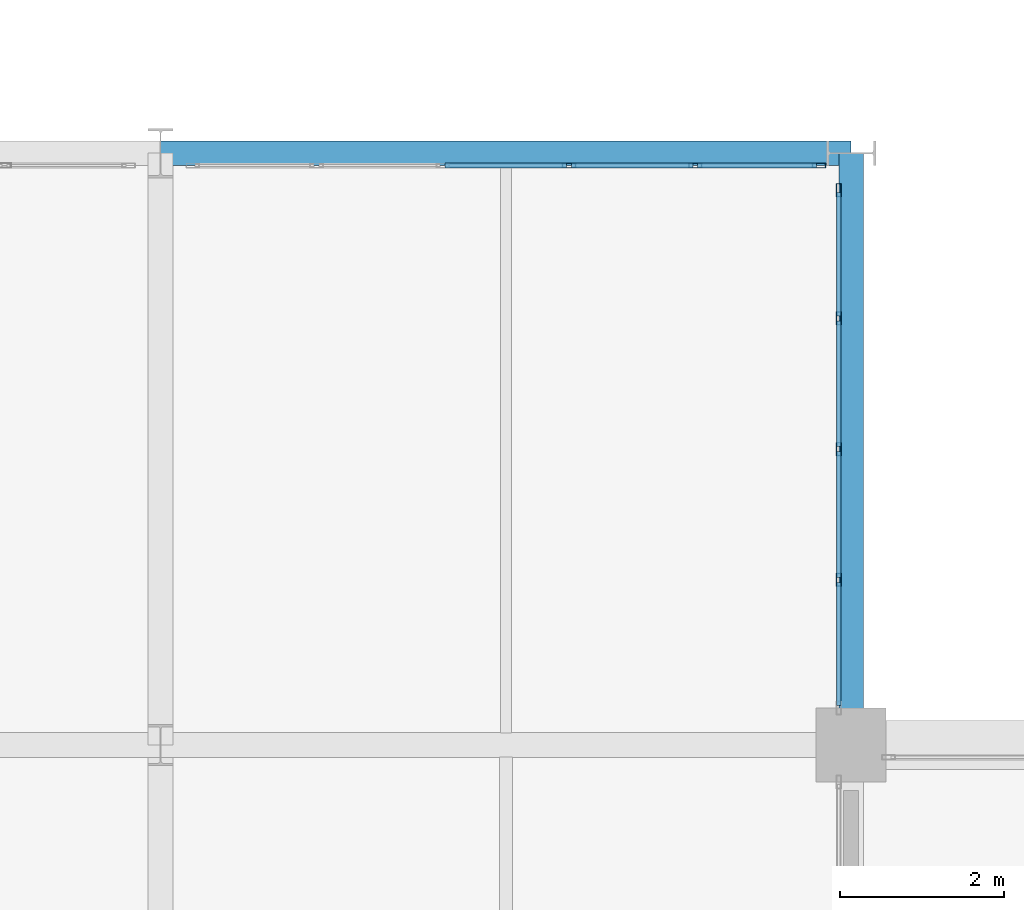
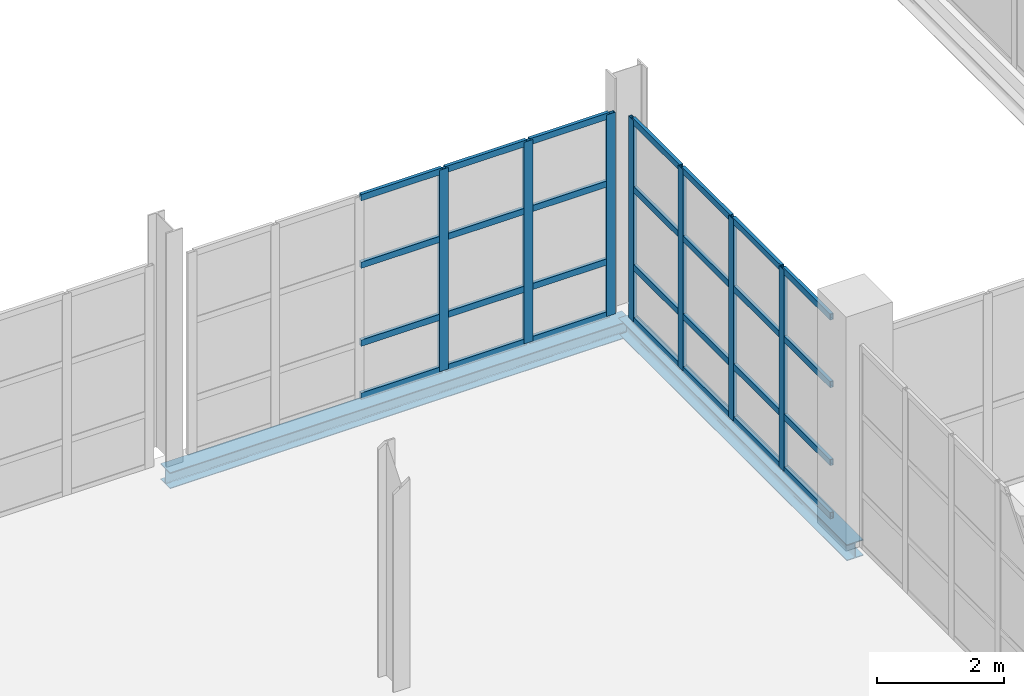
# One storey, part 21 of 109: 35 members, 2 beams, 2 elements without a shape of their own.
"""IFC4 building model written with IfcOpenShell, lengths in metres."""

from ifc_helpers import new_model, si_unit, direction, frame, origin, origin_2d, place, context, subcontext, project, spatial, hollow_rectangle, i_section, extrude, material, material_profile, profile_set, type_object, element, aggregate, save


model = new_model("IFC4")

# Units and contexts
model_context = context("Model", 3, precision=1e-05, world=origin(), true_north=direction((0.0, 1.0)))
body_context = subcontext(model_context, "Body", "Model", "MODEL_VIEW")
ifc_project = project(units=[si_unit("LENGTHUNIT", "METRE"), si_unit("AREAUNIT", "SQUARE_METRE"), si_unit("VOLUMEUNIT", "CUBIC_METRE"), si_unit("PLANEANGLEUNIT", "RADIAN"), si_unit("MASSUNIT", "GRAM", prefix="KILO")], contexts=[model_context])

# Site, building, storey
site_placement = place(None, origin())
site = spatial("IfcSite", under=ifc_project, at=site_placement, CompositionType="ELEMENT")
building_placement = place(site_placement, origin())
building = spatial("IfcBuilding", under=site, at=building_placement, Name="Veltarok Museum of Natural Sciences", CompositionType="ELEMENT")
storey_placement = place(building_placement, frame((0.0, 0.0, 17.39990234375)))
storey = spatial("IfcBuildingStorey", under=building, at=storey_placement, Name="L03", CompositionType="ELEMENT", Elevation=17.39990234375)

# Curtain wall, members
ifc_material_1 = material(Name="Low-iron triple insulated glass", Category="glass")
curtain_wall_type_1 = type_object("IfcCurtainWallType", Name="Curtain Wall System CW-BRG-E-L03-CD-636x388 (Bridge East Court L03 CD 636x388cm)", PredefinedType="NOTDEFINED", material=ifc_material_1)
curtain_wall_1_placement = place(storey_placement, origin())
curtain_wall_1 = element("IfcCurtainWall", 1, at=curtain_wall_1_placement, inside=storey, type_object=curtain_wall_type_1, Name="Curtain Wall CW-BRG-E-L03-CD-636x388 CW-0042", PredefinedType="NOTDEFINED")
ifc_material_2 = material(Name="Thermally broken anodised aluminium", Category="aluminium")
ifc_material_profile_1 = material_profile(ifc_material_2, hollow_rectangle(XDim=0.06005859375, YDim=0.1201171875, WallThickness=0.0048828125, at=origin_2d()), Name="CW TRANSOM 60x120x5")
ifc_profile_set_1 = profile_set([ifc_material_profile_1], Name="Thermally broken anodised aluminium")
member_type_1 = type_object("IfcMemberType", Name="Curtain Wall Horizontal Transom 60x120x5", PredefinedType="USERDEFINED", material=ifc_profile_set_1)
member_1_placement = place(storey_placement, frame((31.449951171875, 19.679931640625, 0.030029296875), z_axis=(0.0, 1.0, 0.0), x_axis=(-1.0, 0.0, 0.0)))
member_1 = element("IfcMember", 2, at=member_1_placement, type_object=member_type_1, Name="CW-BRG-E-L03-CD-636x388 transom 1.1", ObjectType="TRANSOM", PredefinedType="USERDEFINED", context=body_context, shape_type="SweptSolid", body=[
    extrude(hollow_rectangle(XDim=0.06005859375, YDim=0.1201171875, WallThickness=0.0048828125, at=origin_2d()), origin(), (0.0, 0.0, 1.0), 1.5),
])
member_2_placement = place(storey_placement, frame((31.449951171875, 19.679931640625, 1.050048828125), z_axis=(0.0, 1.0, 0.0), x_axis=(-1.0, 0.0, 0.0)))
member_2 = element("IfcMember", 3, at=member_2_placement, type_object=member_type_1, Name="CW-BRG-E-L03-CD-636x388 transom 1.2", ObjectType="TRANSOM", PredefinedType="USERDEFINED", context=body_context, shape_type="SweptSolid", body=[
    extrude(hollow_rectangle(XDim=0.06005859375, YDim=0.1201171875, WallThickness=0.0048828125, at=origin_2d()), origin(), (0.0, 0.0, 1.0), 1.5),
])
member_3_placement = place(storey_placement, frame((31.449951171875, 19.679931640625, 2.550048828125), z_axis=(0.0, 1.0, 0.0), x_axis=(-1.0, 0.0, 0.0)))
member_3 = element("IfcMember", 4, at=member_3_placement, type_object=member_type_1, Name="CW-BRG-E-L03-CD-636x388 transom 1.3", ObjectType="TRANSOM", PredefinedType="USERDEFINED", context=body_context, shape_type="SweptSolid", body=[
    extrude(hollow_rectangle(XDim=0.06005859375, YDim=0.1201171875, WallThickness=0.0048828125, at=origin_2d()), origin(), (0.0, 0.0, 1.0), 1.5),
])
member_4_placement = place(storey_placement, frame((31.449951171875, 19.679931640625, 3.85009765625), z_axis=(0.0, 1.0, 0.0), x_axis=(-1.0, 0.0, 0.0)))
member_4 = element("IfcMember", 5, at=member_4_placement, type_object=member_type_1, Name="CW-BRG-E-L03-CD-636x388 transom 1.4", ObjectType="TRANSOM", PredefinedType="USERDEFINED", context=body_context, shape_type="SweptSolid", body=[
    extrude(hollow_rectangle(XDim=0.06005859375, YDim=0.1201171875, WallThickness=0.0048828125, at=origin_2d()), origin(), (0.0, 0.0, 1.0), 1.5),
])
member_5_placement = place(storey_placement, frame((31.449951171875, 21.239990234375, 0.030029296875), z_axis=(0.0, 1.0, 0.0), x_axis=(-1.0, 0.0, 0.0)))
member_5 = element("IfcMember", 6, at=member_5_placement, type_object=member_type_1, Name="CW-BRG-E-L03-CD-636x388 transom 2.1", ObjectType="TRANSOM", PredefinedType="USERDEFINED", context=body_context, shape_type="SweptSolid", body=[
    extrude(hollow_rectangle(XDim=0.06005859375, YDim=0.1201171875, WallThickness=0.0048828125, at=origin_2d()), origin(), (0.0, 0.0, 1.0), 1.530029296875),
])
member_6_placement = place(storey_placement, frame((31.449951171875, 21.239990234375, 1.050048828125), z_axis=(0.0, 1.0, 0.0), x_axis=(-1.0, 0.0, 0.0)))
member_6 = element("IfcMember", 7, at=member_6_placement, type_object=member_type_1, Name="CW-BRG-E-L03-CD-636x388 transom 2.2", ObjectType="TRANSOM", PredefinedType="USERDEFINED", context=body_context, shape_type="SweptSolid", body=[
    extrude(hollow_rectangle(XDim=0.06005859375, YDim=0.1201171875, WallThickness=0.0048828125, at=origin_2d()), origin(), (0.0, 0.0, 1.0), 1.530029296875),
])
member_7_placement = place(storey_placement, frame((31.449951171875, 21.239990234375, 2.550048828125), z_axis=(0.0, 1.0, 0.0), x_axis=(-1.0, 0.0, 0.0)))
member_7 = element("IfcMember", 8, at=member_7_placement, type_object=member_type_1, Name="CW-BRG-E-L03-CD-636x388 transom 2.3", ObjectType="TRANSOM", PredefinedType="USERDEFINED", context=body_context, shape_type="SweptSolid", body=[
    extrude(hollow_rectangle(XDim=0.06005859375, YDim=0.1201171875, WallThickness=0.0048828125, at=origin_2d()), origin(), (0.0, 0.0, 1.0), 1.530029296875),
])
member_8_placement = place(storey_placement, frame((31.449951171875, 21.239990234375, 3.85009765625), z_axis=(0.0, 1.0, 0.0), x_axis=(-1.0, 0.0, 0.0)))
member_8 = element("IfcMember", 9, at=member_8_placement, type_object=member_type_1, Name="CW-BRG-E-L03-CD-636x388 transom 2.4", ObjectType="TRANSOM", PredefinedType="USERDEFINED", context=body_context, shape_type="SweptSolid", body=[
    extrude(hollow_rectangle(XDim=0.06005859375, YDim=0.1201171875, WallThickness=0.0048828125, at=origin_2d()), origin(), (0.0, 0.0, 1.0), 1.530029296875),
])
member_9_placement = place(storey_placement, frame((31.449951171875, 22.830078125, 0.030029296875), z_axis=(0.0, 1.0, 0.0), x_axis=(-1.0, 0.0, 0.0)))
member_9 = element("IfcMember", 10, at=member_9_placement, type_object=member_type_1, Name="CW-BRG-E-L03-CD-636x388 transom 3.1", ObjectType="TRANSOM", PredefinedType="USERDEFINED", context=body_context, shape_type="SweptSolid", body=[
    extrude(hollow_rectangle(XDim=0.06005859375, YDim=0.1201171875, WallThickness=0.0048828125, at=origin_2d()), origin(), (0.0, 0.0, 1.0), 1.530029296875),
])
member_10_placement = place(storey_placement, frame((31.449951171875, 22.830078125, 1.050048828125), z_axis=(0.0, 1.0, 0.0), x_axis=(-1.0, 0.0, 0.0)))
member_10 = element("IfcMember", 11, at=member_10_placement, type_object=member_type_1, Name="CW-BRG-E-L03-CD-636x388 transom 3.2", ObjectType="TRANSOM", PredefinedType="USERDEFINED", context=body_context, shape_type="SweptSolid", body=[
    extrude(hollow_rectangle(XDim=0.06005859375, YDim=0.1201171875, WallThickness=0.0048828125, at=origin_2d()), origin(), (0.0, 0.0, 1.0), 1.530029296875),
])
member_11_placement = place(storey_placement, frame((31.449951171875, 22.830078125, 2.550048828125), z_axis=(0.0, 1.0, 0.0), x_axis=(-1.0, 0.0, 0.0)))
member_11 = element("IfcMember", 12, at=member_11_placement, type_object=member_type_1, Name="CW-BRG-E-L03-CD-636x388 transom 3.3", ObjectType="TRANSOM", PredefinedType="USERDEFINED", context=body_context, shape_type="SweptSolid", body=[
    extrude(hollow_rectangle(XDim=0.06005859375, YDim=0.1201171875, WallThickness=0.0048828125, at=origin_2d()), origin(), (0.0, 0.0, 1.0), 1.530029296875),
])
member_12_placement = place(storey_placement, frame((31.449951171875, 22.830078125, 3.85009765625), z_axis=(0.0, 1.0, 0.0), x_axis=(-1.0, 0.0, 0.0)))
member_12 = element("IfcMember", 13, at=member_12_placement, type_object=member_type_1, Name="CW-BRG-E-L03-CD-636x388 transom 3.4", ObjectType="TRANSOM", PredefinedType="USERDEFINED", context=body_context, shape_type="SweptSolid", body=[
    extrude(hollow_rectangle(XDim=0.06005859375, YDim=0.1201171875, WallThickness=0.0048828125, at=origin_2d()), origin(), (0.0, 0.0, 1.0), 1.530029296875),
])
member_13_placement = place(storey_placement, frame((31.449951171875, 24.419921875, 0.030029296875), z_axis=(0.0, 1.0, 0.0), x_axis=(-1.0, 0.0, 0.0)))
member_13 = element("IfcMember", 14, at=member_13_placement, type_object=member_type_1, Name="CW-BRG-E-L03-CD-636x388 transom 4.1", ObjectType="TRANSOM", PredefinedType="USERDEFINED", context=body_context, shape_type="SweptSolid", body=[
    extrude(hollow_rectangle(XDim=0.06005859375, YDim=0.1201171875, WallThickness=0.0048828125, at=origin_2d()), origin(), (0.0, 0.0, 1.0), 1.5),
])
member_14_placement = place(storey_placement, frame((31.449951171875, 24.419921875, 1.050048828125), z_axis=(0.0, 1.0, 0.0), x_axis=(-1.0, 0.0, 0.0)))
member_14 = element("IfcMember", 15, at=member_14_placement, type_object=member_type_1, Name="CW-BRG-E-L03-CD-636x388 transom 4.2", ObjectType="TRANSOM", PredefinedType="USERDEFINED", context=body_context, shape_type="SweptSolid", body=[
    extrude(hollow_rectangle(XDim=0.06005859375, YDim=0.1201171875, WallThickness=0.0048828125, at=origin_2d()), origin(), (0.0, 0.0, 1.0), 1.5),
])
member_15_placement = place(storey_placement, frame((31.449951171875, 24.419921875, 2.550048828125), z_axis=(0.0, 1.0, 0.0), x_axis=(-1.0, 0.0, 0.0)))
member_15 = element("IfcMember", 16, at=member_15_placement, type_object=member_type_1, Name="CW-BRG-E-L03-CD-636x388 transom 4.3", ObjectType="TRANSOM", PredefinedType="USERDEFINED", context=body_context, shape_type="SweptSolid", body=[
    extrude(hollow_rectangle(XDim=0.06005859375, YDim=0.1201171875, WallThickness=0.0048828125, at=origin_2d()), origin(), (0.0, 0.0, 1.0), 1.5),
])
member_16_placement = place(storey_placement, frame((31.449951171875, 24.419921875, 3.85009765625), z_axis=(0.0, 1.0, 0.0), x_axis=(-1.0, 0.0, 0.0)))
member_16 = element("IfcMember", 17, at=member_16_placement, type_object=member_type_1, Name="CW-BRG-E-L03-CD-636x388 transom 4.4", ObjectType="TRANSOM", PredefinedType="USERDEFINED", context=body_context, shape_type="SweptSolid", body=[
    extrude(hollow_rectangle(XDim=0.06005859375, YDim=0.1201171875, WallThickness=0.0048828125, at=origin_2d()), origin(), (0.0, 0.0, 1.0), 1.5),
])

curtain_wall_type_2 = type_object("IfcCurtainWallType", Name="Curtain Wall System CW-BRG-N-L03-3-768x388 (Bridge North Court L03 3-4 768x388cm)", PredefinedType="NOTDEFINED", material=ifc_material_1)
curtain_wall_2_placement = place(storey_placement, origin())
curtain_wall_2 = element("IfcCurtainWall", 18, at=curtain_wall_2_placement, inside=storey, type_object=curtain_wall_type_2, Name="Curtain Wall CW-BRG-N-L03-3-768x388 CW-0045", PredefinedType="NOTDEFINED")
member_17_placement = place(storey_placement, frame((31.179931640625, 26.25, 0.030029296875), z_axis=(-1.0, 0.0, 0.0), x_axis=(0.0, -1.0, 0.0)))
member_17 = element("IfcMember", 19, at=member_17_placement, type_object=member_type_1, Name="CW-BRG-N-L03-3-768x388 transom 1.1", ObjectType="TRANSOM", PredefinedType="USERDEFINED", context=body_context, shape_type="SweptSolid", body=[
    extrude(hollow_rectangle(XDim=0.06005859375, YDim=0.1201171875, WallThickness=0.0048828125, at=origin_2d()), origin(), (0.0, 0.0, 1.0), 1.446044921875),
])
member_18_placement = place(storey_placement, frame((31.179931640625, 26.25, 1.050048828125), z_axis=(-1.0, 0.0, 0.0), x_axis=(0.0, -1.0, 0.0)))
member_18 = element("IfcMember", 20, at=member_18_placement, type_object=member_type_1, Name="CW-BRG-N-L03-3-768x388 transom 1.2", ObjectType="TRANSOM", PredefinedType="USERDEFINED", context=body_context, shape_type="SweptSolid", body=[
    extrude(hollow_rectangle(XDim=0.06005859375, YDim=0.1201171875, WallThickness=0.0048828125, at=origin_2d()), origin(), (0.0, 0.0, 1.0), 1.446044921875),
])
member_19_placement = place(storey_placement, frame((31.179931640625, 26.25, 2.550048828125), z_axis=(-1.0, 0.0, 0.0), x_axis=(0.0, -1.0, 0.0)))
member_19 = element("IfcMember", 21, at=member_19_placement, type_object=member_type_1, Name="CW-BRG-N-L03-3-768x388 transom 1.3", ObjectType="TRANSOM", PredefinedType="USERDEFINED", context=body_context, shape_type="SweptSolid", body=[
    extrude(hollow_rectangle(XDim=0.06005859375, YDim=0.1201171875, WallThickness=0.0048828125, at=origin_2d()), origin(), (0.0, 0.0, 1.0), 1.446044921875),
])
member_20_placement = place(storey_placement, frame((31.179931640625, 26.25, 3.85009765625), z_axis=(-1.0, 0.0, 0.0), x_axis=(0.0, -1.0, 0.0)))
member_20 = element("IfcMember", 22, at=member_20_placement, type_object=member_type_1, Name="CW-BRG-N-L03-3-768x388 transom 1.4", ObjectType="TRANSOM", PredefinedType="USERDEFINED", context=body_context, shape_type="SweptSolid", body=[
    extrude(hollow_rectangle(XDim=0.06005859375, YDim=0.1201171875, WallThickness=0.0048828125, at=origin_2d()), origin(), (0.0, 0.0, 1.0), 1.446044921875),
])
member_21_placement = place(storey_placement, frame((29.674072265625, 26.25, 0.030029296875), z_axis=(-1.0, 0.0, 0.0), x_axis=(0.0, -1.0, 0.0)))
member_21 = element("IfcMember", 23, at=member_21_placement, type_object=member_type_1, Name="CW-BRG-N-L03-3-768x388 transom 2.1", ObjectType="TRANSOM", PredefinedType="USERDEFINED", context=body_context, shape_type="SweptSolid", body=[
    extrude(hollow_rectangle(XDim=0.06005859375, YDim=0.1201171875, WallThickness=0.0048828125, at=origin_2d()), origin(), (0.0, 0.0, 1.0), 1.47607421875),
])
member_22_placement = place(storey_placement, frame((29.674072265625, 26.25, 1.050048828125), z_axis=(-1.0, 0.0, 0.0), x_axis=(0.0, -1.0, 0.0)))
member_22 = element("IfcMember", 24, at=member_22_placement, type_object=member_type_1, Name="CW-BRG-N-L03-3-768x388 transom 2.2", ObjectType="TRANSOM", PredefinedType="USERDEFINED", context=body_context, shape_type="SweptSolid", body=[
    extrude(hollow_rectangle(XDim=0.06005859375, YDim=0.1201171875, WallThickness=0.0048828125, at=origin_2d()), origin(), (0.0, 0.0, 1.0), 1.47607421875),
])
member_23_placement = place(storey_placement, frame((29.674072265625, 26.25, 2.550048828125), z_axis=(-1.0, 0.0, 0.0), x_axis=(0.0, -1.0, 0.0)))
member_23 = element("IfcMember", 25, at=member_23_placement, type_object=member_type_1, Name="CW-BRG-N-L03-3-768x388 transom 2.3", ObjectType="TRANSOM", PredefinedType="USERDEFINED", context=body_context, shape_type="SweptSolid", body=[
    extrude(hollow_rectangle(XDim=0.06005859375, YDim=0.1201171875, WallThickness=0.0048828125, at=origin_2d()), origin(), (0.0, 0.0, 1.0), 1.47607421875),
])
member_24_placement = place(storey_placement, frame((29.674072265625, 26.25, 3.85009765625), z_axis=(-1.0, 0.0, 0.0), x_axis=(0.0, -1.0, 0.0)))
member_24 = element("IfcMember", 26, at=member_24_placement, type_object=member_type_1, Name="CW-BRG-N-L03-3-768x388 transom 2.4", ObjectType="TRANSOM", PredefinedType="USERDEFINED", context=body_context, shape_type="SweptSolid", body=[
    extrude(hollow_rectangle(XDim=0.06005859375, YDim=0.1201171875, WallThickness=0.0048828125, at=origin_2d()), origin(), (0.0, 0.0, 1.0), 1.47607421875),
])
member_25_placement = place(storey_placement, frame((28.137939453125, 26.25, 0.030029296875), z_axis=(-1.0, 0.0, 0.0), x_axis=(0.0, -1.0, 0.0)))
member_25 = element("IfcMember", 27, at=member_25_placement, type_object=member_type_1, Name="CW-BRG-N-L03-3-768x388 transom 3.1", ObjectType="TRANSOM", PredefinedType="USERDEFINED", context=body_context, shape_type="SweptSolid", body=[
    extrude(hollow_rectangle(XDim=0.06005859375, YDim=0.1201171875, WallThickness=0.0048828125, at=origin_2d()), origin(), (0.0, 0.0, 1.0), 1.475830078125),
])
member_26_placement = place(storey_placement, frame((28.137939453125, 26.25, 1.050048828125), z_axis=(-1.0, 0.0, 0.0), x_axis=(0.0, -1.0, 0.0)))
member_26 = element("IfcMember", 28, at=member_26_placement, type_object=member_type_1, Name="CW-BRG-N-L03-3-768x388 transom 3.2", ObjectType="TRANSOM", PredefinedType="USERDEFINED", context=body_context, shape_type="SweptSolid", body=[
    extrude(hollow_rectangle(XDim=0.06005859375, YDim=0.1201171875, WallThickness=0.0048828125, at=origin_2d()), origin(), (0.0, 0.0, 1.0), 1.475830078125),
])
member_27_placement = place(storey_placement, frame((28.137939453125, 26.25, 2.550048828125), z_axis=(-1.0, 0.0, 0.0), x_axis=(0.0, -1.0, 0.0)))
member_27 = element("IfcMember", 29, at=member_27_placement, type_object=member_type_1, Name="CW-BRG-N-L03-3-768x388 transom 3.3", ObjectType="TRANSOM", PredefinedType="USERDEFINED", context=body_context, shape_type="SweptSolid", body=[
    extrude(hollow_rectangle(XDim=0.06005859375, YDim=0.1201171875, WallThickness=0.0048828125, at=origin_2d()), origin(), (0.0, 0.0, 1.0), 1.475830078125),
])
member_28_placement = place(storey_placement, frame((28.137939453125, 26.25, 3.85009765625), z_axis=(-1.0, 0.0, 0.0), x_axis=(0.0, -1.0, 0.0)))
member_28 = element("IfcMember", 30, at=member_28_placement, type_object=member_type_1, Name="CW-BRG-N-L03-3-768x388 transom 3.4", ObjectType="TRANSOM", PredefinedType="USERDEFINED", context=body_context, shape_type="SweptSolid", body=[
    extrude(hollow_rectangle(XDim=0.06005859375, YDim=0.1201171875, WallThickness=0.0048828125, at=origin_2d()), origin(), (0.0, 0.0, 1.0), 1.475830078125),
])

# Member
ifc_material_profile_2 = material_profile(ifc_material_2, hollow_rectangle(XDim=0.06005859375, YDim=0.159912109375, WallThickness=0.0048828125, at=origin_2d()), Name="CW MULLION 60x160x5")
ifc_profile_set_2 = profile_set([ifc_material_profile_2], Name="Thermally broken anodised aluminium")
member_type_2 = type_object("IfcMemberType", Name="Curtain Wall Vertical Mullion 60x160x5", PredefinedType="MULLION", material=ifc_profile_set_2)
member_29_placement = place(storey_placement, frame((31.449951171875, 21.2099609375, 0.0), z_axis=(0.0, 0.0, 1.0), x_axis=(-1.0, 0.0, 0.0)))
member_29 = element("IfcMember", 31, at=member_29_placement, type_object=member_type_2, Name="CW-BRG-E-L03-CD-636x388 mullion 2", PredefinedType="MULLION", context=body_context, shape_type="SweptSolid", body=[
    extrude(hollow_rectangle(XDim=0.06005859375, YDim=0.159912109375, WallThickness=0.0048828125, at=origin_2d()), origin(), (0.0, 0.0, 1.0), 3.880126953125),
])

member_30_placement = place(storey_placement, frame((31.449951171875, 22.800048828125, 0.0), z_axis=(0.0, 0.0, 1.0), x_axis=(-1.0, 0.0, 0.0)))
member_30 = element("IfcMember", 32, at=member_30_placement, type_object=member_type_2, Name="CW-BRG-E-L03-CD-636x388 mullion 3", PredefinedType="MULLION", context=body_context, shape_type="SweptSolid", body=[
    extrude(hollow_rectangle(XDim=0.06005859375, YDim=0.159912109375, WallThickness=0.0048828125, at=origin_2d()), origin(), (0.0, 0.0, 1.0), 3.880126953125),
])

member_31_placement = place(storey_placement, frame((31.449951171875, 24.389892578125, 0.0), z_axis=(0.0, 0.0, 1.0), x_axis=(-1.0, 0.0, 0.0)))
member_31 = element("IfcMember", 33, at=member_31_placement, type_object=member_type_2, Name="CW-BRG-E-L03-CD-636x388 mullion 4", PredefinedType="MULLION", context=body_context, shape_type="SweptSolid", body=[
    extrude(hollow_rectangle(XDim=0.06005859375, YDim=0.159912109375, WallThickness=0.0048828125, at=origin_2d()), origin(), (0.0, 0.0, 1.0), 3.880126953125),
])

member_32_placement = place(storey_placement, frame((31.449951171875, 25.949951171875, 0.0), z_axis=(0.0, 0.0, 1.0), x_axis=(-1.0, 0.0, 0.0)))
member_32 = element("IfcMember", 34, at=member_32_placement, type_object=member_type_2, Name="CW-BRG-E-L03-CD-636x388 mullion 5", PredefinedType="MULLION", context=body_context, shape_type="SweptSolid", body=[
    extrude(hollow_rectangle(XDim=0.06005859375, YDim=0.159912109375, WallThickness=0.0048828125, at=origin_2d()), origin(), (0.0, 0.0, 1.0), 3.880126953125),
])

aggregate(curtain_wall_1, [member_29, member_30, member_31, member_32, member_1, member_2, member_3, member_4, member_5, member_6, member_7, member_8, member_9, member_10, member_11, member_12, member_13, member_14, member_15, member_16])

member_33_placement = place(storey_placement, frame((31.2099609375, 26.25, 0.0), z_axis=(0.0, 0.0, 1.0), x_axis=(0.0, -1.0, 0.0)))
member_33 = element("IfcMember", 35, at=member_33_placement, type_object=member_type_2, Name="CW-BRG-N-L03-3-768x388 mullion 1", PredefinedType="MULLION", context=body_context, shape_type="SweptSolid", body=[
    extrude(hollow_rectangle(XDim=0.06005859375, YDim=0.159912109375, WallThickness=0.0048828125, at=origin_2d()), origin(), (0.0, 0.0, 1.0), 3.880126953125),
])

member_34_placement = place(storey_placement, frame((29.7041015625, 26.25, 0.0), z_axis=(0.0, 0.0, 1.0), x_axis=(0.0, -1.0, 0.0)))
member_34 = element("IfcMember", 36, at=member_34_placement, type_object=member_type_2, Name="CW-BRG-N-L03-3-768x388 mullion 2", PredefinedType="MULLION", context=body_context, shape_type="SweptSolid", body=[
    extrude(hollow_rectangle(XDim=0.06005859375, YDim=0.159912109375, WallThickness=0.0048828125, at=origin_2d()), origin(), (0.0, 0.0, 1.0), 3.880126953125),
])

member_35_placement = place(storey_placement, frame((28.16796875, 26.25, 0.0), z_axis=(0.0, 0.0, 1.0), x_axis=(0.0, -1.0, 0.0)))
member_35 = element("IfcMember", 37, at=member_35_placement, type_object=member_type_2, Name="CW-BRG-N-L03-3-768x388 mullion 3", PredefinedType="MULLION", context=body_context, shape_type="SweptSolid", body=[
    extrude(hollow_rectangle(XDim=0.06005859375, YDim=0.159912109375, WallThickness=0.0048828125, at=origin_2d()), origin(), (0.0, 0.0, 1.0), 3.880126953125),
])

aggregate(curtain_wall_2, [member_33, member_34, member_35, member_17, member_18, member_19, member_20, member_21, member_22, member_23, member_24, member_25, member_26, member_27, member_28])

# Beams
ifc_material_3 = material(Name="Steel S355J2", Category="steel")
ifc_material_profile_3 = material_profile(ifc_material_3, i_section(OverallWidth=0.300048828125, OverallDepth=0.31005859375, WebThickness=0.009033203125, FlangeThickness=0.015380859375, FilletRadius=0.027099609375, at=origin_2d()), Name="HEA 320")
ifc_profile_set_3 = profile_set([ifc_material_profile_3], Name="Steel S355J2")
beam_type = type_object("IfcBeamType", Name="Perimeter Edge Spandrel HEA 320", PredefinedType="SPANDREL", material=ifc_profile_set_3)
beam_1_placement = place(storey_placement, frame((23.199951171875, 26.39990234375, -0.40478515625), z_axis=(1.0, 0.0, 0.0), x_axis=(0.0, 1.0, 0.0)))
element("IfcBeam", 38, at=beam_1_placement, inside=storey, type_object=beam_type, Name="Beam BM-SP04 L03 3-4/D", PredefinedType="SPANDREL", context=body_context, shape_type="SweptSolid", body=[
    extrude(i_section(OverallWidth=0.300048828125, OverallDepth=0.31005859375, WebThickness=0.009033203125, FlangeThickness=0.015380859375, FilletRadius=0.027099609375, at=origin_2d()), origin(), (0.0, 0.0, 1.0), 8.400146484375),
])
beam_2_placement = place(storey_placement, frame((31.60009765625, 19.199951171875, -0.40478515625), z_axis=(0.0, 1.0, 0.0), x_axis=(-1.0, 0.0, 0.0)))
element("IfcBeam", 39, at=beam_2_placement, inside=storey, type_object=beam_type, Name="Beam BM-SP04 L03 4/C-D", PredefinedType="SPANDREL", context=body_context, shape_type="SweptSolid", body=[
    extrude(i_section(OverallWidth=0.300048828125, OverallDepth=0.31005859375, WebThickness=0.009033203125, FlangeThickness=0.015380859375, FilletRadius=0.027099609375, at=origin_2d()), origin(), (0.0, 0.0, 1.0), 7.199951171875),
])

save(model, "model.ifc")
